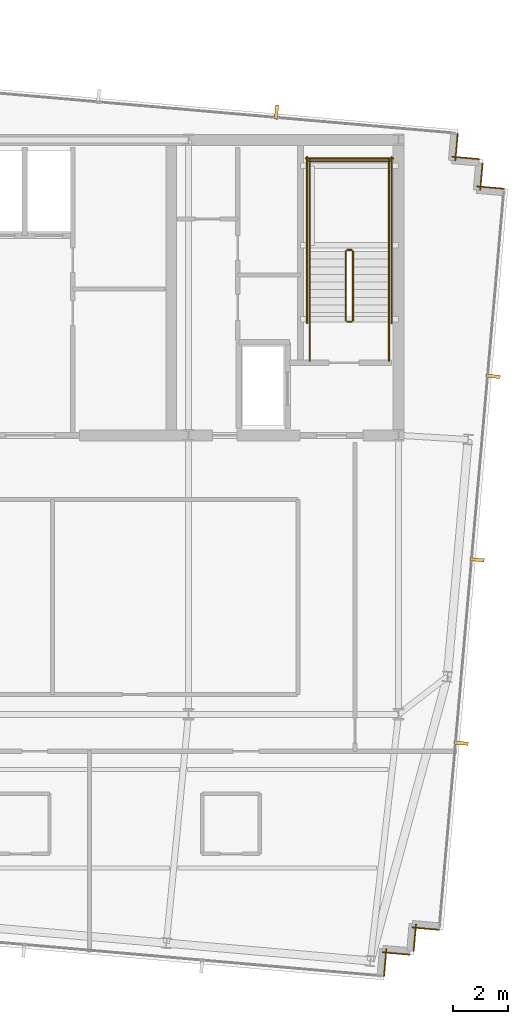
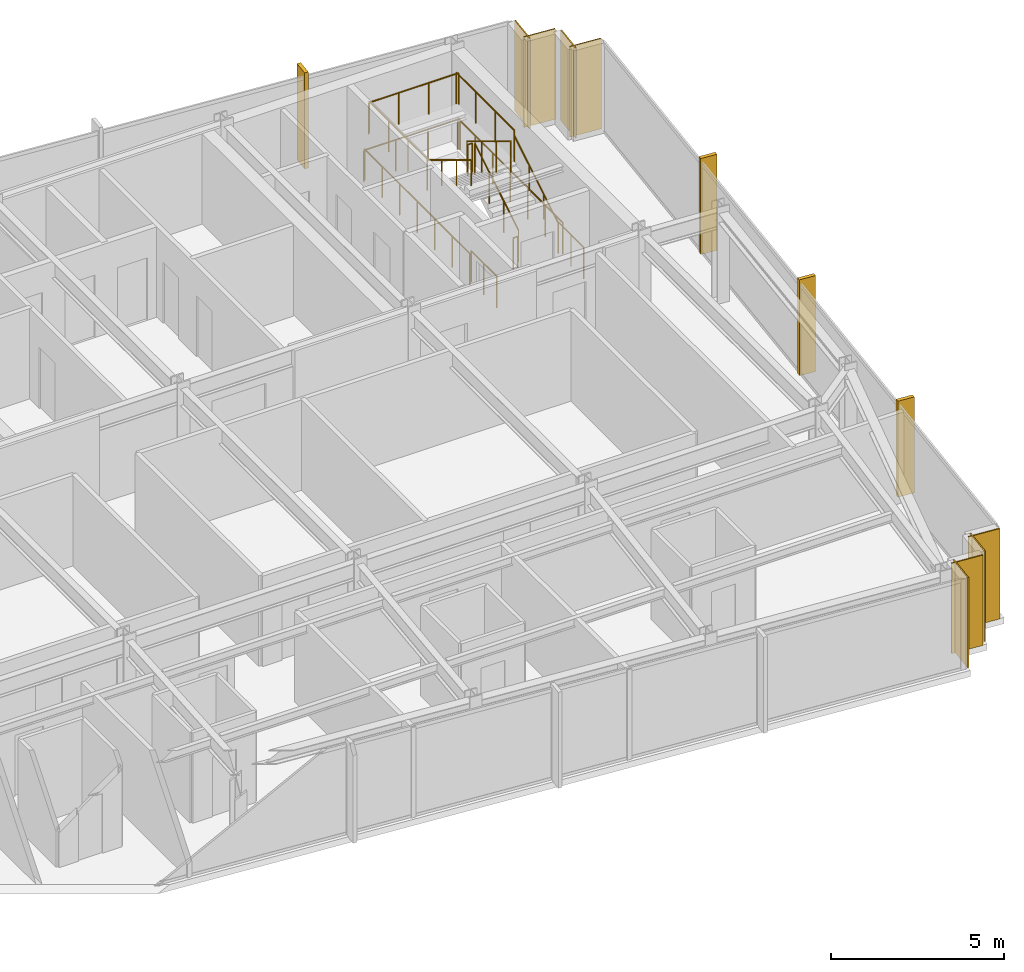
# One storey, part 32 of 33: 14 railings, 8 coverings, 4 shading devices.
"""IFC4 building model written with IfcOpenShell, lengths in metres."""

from ifc_helpers import new_model, si_unit, direction, frame, frame_2d, origin, origin_2d, place, context, subcontext, project, spatial, rectangle, circle, extrude, material, layer, layer_set, type_object, element, save


model = new_model("IFC4")

# Units and contexts
model_context = context("Model", 3, precision=1e-05, world=origin(), true_north=direction((0.0, 1.0)))
body_context = subcontext(model_context, "Body", "Model", "MODEL_VIEW")
ifc_project = project(units=[si_unit("LENGTHUNIT", "METRE"), si_unit("AREAUNIT", "SQUARE_METRE"), si_unit("VOLUMEUNIT", "CUBIC_METRE"), si_unit("PLANEANGLEUNIT", "RADIAN"), si_unit("MASSUNIT", "GRAM", prefix="KILO")], contexts=[model_context])

# Site, building, storey
site_placement = place(None, origin())
site = spatial("IfcSite", under=ifc_project, at=site_placement, CompositionType="ELEMENT")
building_placement = place(site_placement, origin())
building = spatial("IfcBuilding", under=site, at=building_placement, Name="Yelkora Congress Tower", CompositionType="ELEMENT")
storey_placement = place(building_placement, frame((0.0, 0.0, 289.699951171875)))
storey = spatial("IfcBuildingStorey", under=building, at=storey_placement, Name="L81", CompositionType="ELEMENT", Elevation=289.699951171875)

# Coverings
ifc_material_1 = material(Name="Anatolian bush-hammered limestone", Category="masonry")
ifc_layer_1 = layer(ifc_material_1, 0.0400390625)
ifc_layer_set_1 = layer_set([ifc_layer_1], Name="Anatolian bush-hammered limestone")
covering_type = type_object("IfcCoveringType", Name="COV-CLAD-SPANDREL-40", PredefinedType="CLADDING", material=ifc_layer_set_1)
for number, where, z_axis, x_axis, name in (
    (1, (55.92041015625, 46.431396484375, 0.0), (0.0, 0.0, 1.0), (-0.086903493655, -0.996216734848, 0.0), "L81 Anatolian Limestone Cladding EW-L81-SR11"),
    (2, (55.710693359375, 45.581298828125, 0.0), (0.0, 0.0, 1.0), (0.996193717496, -0.087166950281, 0.0), "L81 Anatolian Limestone Cladding EW-L81-SR12"),
    (3, (56.82958984375, 45.347900390625, 0.0), (0.0, 0.0, 1.0), (-0.087166950281, -0.996193717496, 0.0), "L81 Anatolian Limestone Cladding EW-L81-SR13"),
):
    element("IfcCovering", number, at=place(storey_placement, frame(where, z_axis=z_axis, x_axis=x_axis)), inside=storey, type_object=covering_type, Name=name, PredefinedType="CLADDING", context=body_context, shape_type="SweptSolid", body=[
        extrude(rectangle(XDim=1.0, YDim=0.0400390625, at=frame_2d((0.5, 0.0))), origin(), (0.0, 0.0, 1.0), 3.179931640625),
    ])
covering_1_placement = place(storey_placement, frame((56.61962890625, 44.498046875, 0.0), z_axis=(0.0, 0.0, 1.0), x_axis=(0.996195572005, -0.087145753297, 0.0)))
element("IfcCovering", 4, at=covering_1_placement, inside=storey, type_object=covering_type, Name="L81 Anatolian Limestone Cladding EW-L81-SR14", PredefinedType="CLADDING", context=body_context, shape_type="SweptSolid", body=[
    extrude(rectangle(XDim=1.000244140625, YDim=0.0400390625, at=frame_2d((0.5, 0.0))), origin(), (0.0, 0.0, 1.0), 3.179931640625),
])
for number, where, z_axis, x_axis, name in (
    (5, (55.24609375, 17.32421875, 0.0), (0.0, 0.0, 1.0), (-0.99617248636, 0.08740925248, 0.0), "L81 Anatolian Limestone Cladding EW-L81-SR16"),
    (6, (54.396240234375, 17.5341796875, 0.0), (0.0, 0.0, 1.0), (-0.087166950281, -0.996193717496, 0.0), "L81 Anatolian Limestone Cladding EW-L81-SR17"),
):
    element("IfcCovering", number, at=place(storey_placement, frame(where, z_axis=z_axis, x_axis=x_axis)), inside=storey, type_object=covering_type, Name=name, PredefinedType="CLADDING", context=body_context, shape_type="SweptSolid", body=[
        extrude(rectangle(XDim=1.0, YDim=0.0400390625, at=frame_2d((0.5, 0.0))), origin(), (0.0, 0.0, 1.0), 3.179931640625),
    ])
covering_2_placement = place(storey_placement, frame((54.162841796875, 16.415283203125, 0.0), z_axis=(0.0, 0.0, 1.0), x_axis=(-0.996195572005, 0.087145753297, 0.0)))
element("IfcCovering", 7, at=covering_2_placement, inside=storey, type_object=covering_type, Name="L81 Anatolian Limestone Cladding EW-L81-SR18", PredefinedType="CLADDING", context=body_context, shape_type="SweptSolid", body=[
    extrude(rectangle(XDim=1.000244140625, YDim=0.0400390625, at=frame_2d((0.5, 0.0))), origin(), (0.0, 0.0, 1.0), 3.179931640625),
])
covering_3_placement = place(storey_placement, frame((53.312744140625, 16.625, 0.0), z_axis=(0.0, 0.0, 1.0), x_axis=(-0.087166950281, -0.996193717496, 0.0)))
element("IfcCovering", 8, at=covering_3_placement, inside=storey, type_object=covering_type, Name="L81 Anatolian Limestone Cladding EW-L81-SR19", PredefinedType="CLADDING", context=body_context, shape_type="SweptSolid", body=[
    extrude(rectangle(XDim=1.0, YDim=0.0400390625, at=frame_2d((0.5, 0.0))), origin(), (0.0, 0.0, 1.0), 3.179931640625),
])

# Railings
ifc_material_2 = material(Name="Painted galvanised steel stair well guard with vertical infill", Category="steel")
ifc_layer_2 = layer(ifc_material_2, 0.06005859375)
ifc_layer_set_2 = layer_set([ifc_layer_2], Name="Painted galvanised steel stair well guard with vertical infill")
railing_type_1 = type_object("IfcRailingType", Name="RAIL-STAIR-GUARD-1120", PredefinedType="GUARDRAIL", material=ifc_layer_set_2)
railing_1_placement = place(storey_placement, frame((52.090087890625, 39.60009765625, 0.170166015625)))
element("IfcRailing", 9, at=railing_1_placement, inside=storey, type_object=railing_type_1, Name="ST-02 L81 Stair Well Guardrail 1", PredefinedType="GUARDRAIL", context=body_context, shape_type="SweptSolid", body=[
    extrude(circle(Radius=0.02392578125, at=origin_2d()), frame((0.0, 0.0, 1.09619140625), z_axis=(0.0, 0.854821627497, 0.518921945155), x_axis=(-1.0, 0.0, 0.0)), (0.0, 0.0, 1.0), 2.947998046875),
    extrude(circle(Radius=0.02099609375, at=origin_2d()), origin(), (0.0, 0.0, 1.0), 1.072021484375),
    extrude(circle(Radius=0.02099609375, at=origin_2d()), frame((0.0, 0.840087890625, 0.510009765625)), (0.0, 0.0, 1.0), 1.072021484375),
    extrude(circle(Radius=0.02099609375, at=origin_2d()), frame((0.0, 1.679931640625, 1.019775390625)), (0.0, 0.0, 1.0), 1.072021484375),
    extrude(circle(Radius=0.02099609375, at=origin_2d()), frame((0.0, 2.52001953125, 1.52978515625)), (0.0, 0.0, 1.0), 1.072021484375),
])
railing_2_placement = place(storey_placement, frame((52.0400390625, 42.169921875, 1.699951171875)))
element("IfcRailing", 10, at=railing_2_placement, inside=storey, type_object=railing_type_1, Name="ST-02 L81 Stair Well Guardrail 2", PredefinedType="GUARDRAIL", context=body_context, shape_type="SweptSolid", body=[
    extrude(circle(Radius=0.02392578125, at=origin_2d()), frame((0.0, 0.0, 1.09619140625), z_axis=(-1.0, 0.0, 0.0), x_axis=(0.0, -1.0, 0.0)), (0.0, 0.0, 1.0), 0.16015625),
    extrude(circle(Radius=0.02099609375, at=origin_2d()), origin(), (0.0, 0.0, 1.0), 1.072021484375),
    extrude(circle(Radius=0.02099609375, at=origin_2d()), frame((-0.16015625, 0.0, 0.0)), (0.0, 0.0, 1.0), 1.072021484375),
])
for number, where, name in (
    (11, (53.409912109375, 42.1201171875, 1.699951171875), "ST-02 L81 Stair Well Guardrail 3"),
    (12, (50.510009765625, 42.1201171875, 1.699951171875), "ST-02 L81 Stair Well Guardrail 4"),
):
    element("IfcRailing", number, at=place(storey_placement, frame(where)), inside=storey, type_object=railing_type_1, Name=name, PredefinedType="GUARDRAIL", context=body_context, shape_type="SweptSolid", body=[
        extrude(circle(Radius=0.02392578125, at=origin_2d()), frame((0.0, 0.0, 1.09619140625), z_axis=(0.0, 1.0, 0.0), x_axis=(-1.0, 0.0, 0.0)), (0.0, 0.0, 1.0), 3.349853515625),
        extrude(circle(Radius=0.02099609375, at=origin_2d()), origin(), (0.0, 0.0, 1.0), 1.072021484375),
        extrude(circle(Radius=0.02099609375, at=origin_2d()), frame((0.0, 1.11669921875, 0.0)), (0.0, 0.0, 1.0), 1.072021484375),
        extrude(circle(Radius=0.02099609375, at=origin_2d()), frame((0.0, 2.233154296875, 0.0)), (0.0, 0.0, 1.0), 1.072021484375),
        extrude(circle(Radius=0.02099609375, at=origin_2d()), frame((0.0, 3.349853515625, 0.0)), (0.0, 0.0, 1.0), 1.072021484375),
    ])
railing_3_placement = place(storey_placement, frame((53.4599609375, 45.419921875, 1.699951171875)))
element("IfcRailing", 13, at=railing_3_placement, inside=storey, type_object=railing_type_1, Name="ST-02 L81 Stair Well Guardrail 5", PredefinedType="GUARDRAIL", context=body_context, shape_type="SweptSolid", body=[
    extrude(circle(Radius=0.02392578125, at=origin_2d()), frame((0.0, 0.0, 1.09619140625), z_axis=(-1.0, 0.0, 0.0), x_axis=(0.0, -1.0, 0.0)), (0.0, 0.0, 1.0), 3.0),
    extrude(circle(Radius=0.02099609375, at=origin_2d()), origin(), (0.0, 0.0, 1.0), 1.072021484375),
    extrude(circle(Radius=0.02099609375, at=origin_2d()), frame((-1.0, 0.0, 0.0)), (0.0, 0.0, 1.0), 1.072021484375),
    extrude(circle(Radius=0.02099609375, at=origin_2d()), frame((-2.0, 0.0, 0.0)), (0.0, 0.0, 1.0), 1.072021484375),
    extrude(circle(Radius=0.02099609375, at=origin_2d()), frame((-3.0, 0.0, 0.0)), (0.0, 0.0, 1.0), 1.072021484375),
])
railing_4_placement = place(storey_placement, frame((51.830078125, 42.1201171875, 1.8701171875)))
element("IfcRailing", 14, at=railing_4_placement, inside=storey, type_object=railing_type_1, Name="ST-02 L81 Stair Well Guardrail 6", PredefinedType="GUARDRAIL", context=body_context, shape_type="SweptSolid", body=[
    extrude(circle(Radius=0.02392578125, at=origin_2d()), frame((0.0, 0.0, 1.09619140625), z_axis=(0.0, -0.85478489116, 0.518982456201), x_axis=(1.0, 0.0, 0.0)), (0.0, 0.0, 1.0), 2.9482421875),
    extrude(circle(Radius=0.02099609375, at=origin_2d()), origin(), (0.0, 0.0, 1.0), 1.072021484375),
    extrude(circle(Radius=0.02099609375, at=origin_2d()), frame((0.0, -0.840087890625, 0.510009765625)), (0.0, 0.0, 1.0), 1.072021484375),
    extrude(circle(Radius=0.02099609375, at=origin_2d()), frame((0.0, -1.679931640625, 1.02001953125)), (0.0, 0.0, 1.0), 1.072021484375),
    extrude(circle(Radius=0.02099609375, at=origin_2d()), frame((0.0, -2.52001953125, 1.530029296875)), (0.0, 0.0, 1.0), 1.072021484375),
])
railing_5_placement = place(storey_placement, frame((52.0400390625, 39.550048828125, 0.0)))
element("IfcRailing", 15, at=railing_5_placement, inside=storey, type_object=railing_type_1, Name="ST-02 L81 Stair Well Guardrail 7", PredefinedType="GUARDRAIL", context=body_context, shape_type="SweptSolid", body=[
    extrude(circle(Radius=0.02392578125, at=origin_2d()), frame((0.0, 0.0, 1.09619140625), z_axis=(-1.0, 0.0, 0.0), x_axis=(0.0, -1.0, 0.0)), (0.0, 0.0, 1.0), 0.16015625),
    extrude(circle(Radius=0.02099609375, at=origin_2d()), origin(), (0.0, 0.0, 1.0), 1.072021484375),
    extrude(circle(Radius=0.02099609375, at=origin_2d()), frame((-0.16015625, 0.0, 0.0)), (0.0, 0.0, 1.0), 1.072021484375),
])
for number, where, name in (
    (16, (53.409912109375, 38.1201171875, 0.0), "ST-02 L81 Stair Well Guardrail 8"),
    (17, (50.510009765625, 38.1201171875, 0.0), "ST-02 L81 Stair Well Guardrail 9"),
):
    element("IfcRailing", number, at=place(storey_placement, frame(where)), inside=storey, type_object=railing_type_1, Name=name, PredefinedType="GUARDRAIL", context=body_context, shape_type="SweptSolid", body=[
        extrude(circle(Radius=0.02392578125, at=origin_2d()), frame((0.0, 0.0, 1.09619140625), z_axis=(0.0, 1.0, 0.0), x_axis=(-1.0, 0.0, 0.0)), (0.0, 0.0, 1.0), 1.47998046875),
        extrude(circle(Radius=0.02099609375, at=origin_2d()), origin(), (0.0, 0.0, 1.0), 1.072021484375),
        extrude(circle(Radius=0.02099609375, at=origin_2d()), frame((0.0, 0.739990234375, 0.0)), (0.0, 0.0, 1.0), 1.072021484375),
        extrude(circle(Radius=0.02099609375, at=origin_2d()), frame((0.0, 1.47998046875, 0.0)), (0.0, 0.0, 1.0), 1.072021484375),
    ])
for number, where, name in (
    (18, (53.510009765625, 39.5, 0.0), "ST-02 L81 Stair Well Guardrail 10"),
    (19, (50.409912109375, 39.5, 0.0), "ST-02 L81 Stair Well Guardrail 11"),
):
    element("IfcRailing", number, at=place(storey_placement, frame(where)), inside=storey, type_object=railing_type_1, Name=name, PredefinedType="GUARDRAIL", context=body_context, shape_type="SweptSolid", body=[
        extrude(circle(Radius=0.02392578125, at=origin_2d()), frame((0.0, 0.0, 1.09619140625), z_axis=(0.0, 1.0, 0.0), x_axis=(-1.0, 0.0, 0.0)), (0.0, 0.0, 1.0), 6.070068359375),
        extrude(circle(Radius=0.02099609375, at=origin_2d()), origin(), (0.0, 0.0, 1.0), 1.072021484375),
        extrude(circle(Radius=0.02099609375, at=origin_2d()), frame((0.0, 1.01171875, 0.0)), (0.0, 0.0, 1.0), 1.072021484375),
        extrude(circle(Radius=0.02099609375, at=origin_2d()), frame((0.0, 2.0234375, 0.0)), (0.0, 0.0, 1.0), 1.072021484375),
        extrude(circle(Radius=0.02099609375, at=origin_2d()), frame((0.0, 3.03515625, 0.0)), (0.0, 0.0, 1.0), 1.072021484375),
        extrude(circle(Radius=0.02099609375, at=origin_2d()), frame((0.0, 4.046630859375, 0.0)), (0.0, 0.0, 1.0), 1.072021484375),
        extrude(circle(Radius=0.02099609375, at=origin_2d()), frame((0.0, 5.058349609375, 0.0)), (0.0, 0.0, 1.0), 1.072021484375),
        extrude(circle(Radius=0.02099609375, at=origin_2d()), frame((0.0, 6.070068359375, 0.0)), (0.0, 0.0, 1.0), 1.072021484375),
    ])
railing_6_placement = place(storey_placement, frame((53.56005859375, 45.52001953125, 0.0)))
element("IfcRailing", 20, at=railing_6_placement, inside=storey, type_object=railing_type_1, Name="ST-02 L81 Stair Well Guardrail 12", PredefinedType="GUARDRAIL", context=body_context, shape_type="SweptSolid", body=[
    extrude(circle(Radius=0.02392578125, at=origin_2d()), frame((0.0, 0.0, 1.09619140625), z_axis=(-1.0, 0.0, 0.0), x_axis=(0.0, -1.0, 0.0)), (0.0, 0.0, 1.0), 3.199951171875),
    extrude(circle(Radius=0.02099609375, at=origin_2d()), origin(), (0.0, 0.0, 1.0), 1.072021484375),
    extrude(circle(Radius=0.02099609375, at=origin_2d()), frame((-1.066650390625, 0.0, 0.0)), (0.0, 0.0, 1.0), 1.072021484375),
    extrude(circle(Radius=0.02099609375, at=origin_2d()), frame((-2.13330078125, 0.0, 0.0)), (0.0, 0.0, 1.0), 1.072021484375),
    extrude(circle(Radius=0.02099609375, at=origin_2d()), frame((-3.199951171875, 0.0, 0.0)), (0.0, 0.0, 1.0), 1.072021484375),
])
ifc_material_3 = material(Name="Brushed stainless steel tubular handrail", Category="steel")
ifc_layer_3 = layer(ifc_material_3, 0.050048828125)
ifc_layer_set_3 = layer_set([ifc_layer_3], Name="Brushed stainless steel tubular handrail")
railing_type_2 = type_object("IfcRailingType", Name="RAIL-STAIR-HAND-920", PredefinedType="HANDRAIL", material=ifc_layer_set_3)
railing_7_placement = place(storey_placement, frame((53.409912109375, 39.60009765625, 0.170166015625)))
element("IfcRailing", 21, at=railing_7_placement, inside=storey, type_object=railing_type_2, Name="ST-02 L81 Pitch Handrail 1", PredefinedType="HANDRAIL", context=body_context, shape_type="SweptSolid", body=[
    extrude(circle(Radius=0.02392578125, at=origin_2d()), frame((0.0, 0.0, 0.89599609375), z_axis=(0.0, 0.854821627497, 0.518921945155), x_axis=(-1.0, 0.0, 0.0)), (0.0, 0.0, 1.0), 2.947998046875),
    extrude(circle(Radius=0.02099609375, at=origin_2d()), origin(), (0.0, 0.0, 1.0), 0.871826171875),
    extrude(circle(Radius=0.02099609375, at=origin_2d()), frame((0.0, 0.840087890625, 0.510009765625)), (0.0, 0.0, 1.0), 0.871826171875),
    extrude(circle(Radius=0.02099609375, at=origin_2d()), frame((0.0, 1.679931640625, 1.019775390625)), (0.0, 0.0, 1.0), 0.871826171875),
    extrude(circle(Radius=0.02099609375, at=origin_2d()), frame((0.0, 2.52001953125, 1.52978515625)), (0.0, 0.0, 1.0), 0.871826171875),
])
railing_8_placement = place(storey_placement, frame((50.510009765625, 42.1201171875, 1.8701171875)))
element("IfcRailing", 22, at=railing_8_placement, inside=storey, type_object=railing_type_2, Name="ST-02 L81 Pitch Handrail 2", PredefinedType="HANDRAIL", context=body_context, shape_type="SweptSolid", body=[
    extrude(circle(Radius=0.02392578125, at=origin_2d()), frame((0.0, 0.0, 0.89599609375), z_axis=(0.0, -0.85478489116, 0.518982456201), x_axis=(1.0, 0.0, 0.0)), (0.0, 0.0, 1.0), 2.9482421875),
    extrude(circle(Radius=0.02099609375, at=origin_2d()), origin(), (0.0, 0.0, 1.0), 0.871826171875),
    extrude(circle(Radius=0.02099609375, at=origin_2d()), frame((0.0, -0.840087890625, 0.510009765625)), (0.0, 0.0, 1.0), 0.871826171875),
    extrude(circle(Radius=0.02099609375, at=origin_2d()), frame((0.0, -1.679931640625, 1.02001953125)), (0.0, 0.0, 1.0), 0.871826171875),
    extrude(circle(Radius=0.02099609375, at=origin_2d()), frame((0.0, -2.52001953125, 1.530029296875)), (0.0, 0.0, 1.0), 0.871826171875),
])

# Shading devices
ifc_material_4 = material(Name="Champagne anodised aluminium", Category="aluminium")
ifc_layer_4 = layer(ifc_material_4, 3.300048828125)
ifc_layer_set_4 = layer_set([ifc_layer_4], Name="Champagne anodised aluminium")
shading_device_type = type_object("IfcShadingDeviceType", Name="SHD-FIN-ALU-520", PredefinedType="USERDEFINED", material=ifc_layer_set_4)
for number, where, z_axis, x_axis, name in (
    (23, (49.296875, 47.21142578125, -0.02978515625), (0.0, 0.0, 1.0), (0.996194698092, -0.087155742748, 0.0), "L81 Vertical Anodised Solar Fin 10-6"),
    (24, (57.216796875, 37.554443359375, -0.02978515625), (0.0, 0.0, 1.0), (-0.087155742748, -0.996194698092, 0.0), "L81 Vertical Anodised Solar Fin 15-1"),
    (25, (56.630126953125, 30.85009765625, -0.02978515625), (0.0, 0.0, 1.0), (-0.087155742748, -0.996194698092, 0.0), "L81 Vertical Anodised Solar Fin 15-2"),
    (26, (56.043701171875, 24.145751953125, -0.02978515625), (0.0, 0.0, 1.0), (-0.087155742748, -0.996194698092, 0.0), "L81 Vertical Anodised Solar Fin 15-3"),
):
    element("IfcShadingDevice", number, at=place(storey_placement, frame(where, z_axis=z_axis, x_axis=x_axis)), inside=storey, type_object=shading_device_type, Name=name, ObjectType="FIN", PredefinedType="USERDEFINED", context=body_context, shape_type="SweptSolid", body=[
        extrude(rectangle(XDim=0.1201171875, YDim=0.52001953125, at=origin_2d()), origin(), (0.0, 0.0, 1.0), 3.3798828125),
    ])

save(model, "model.ifc")
